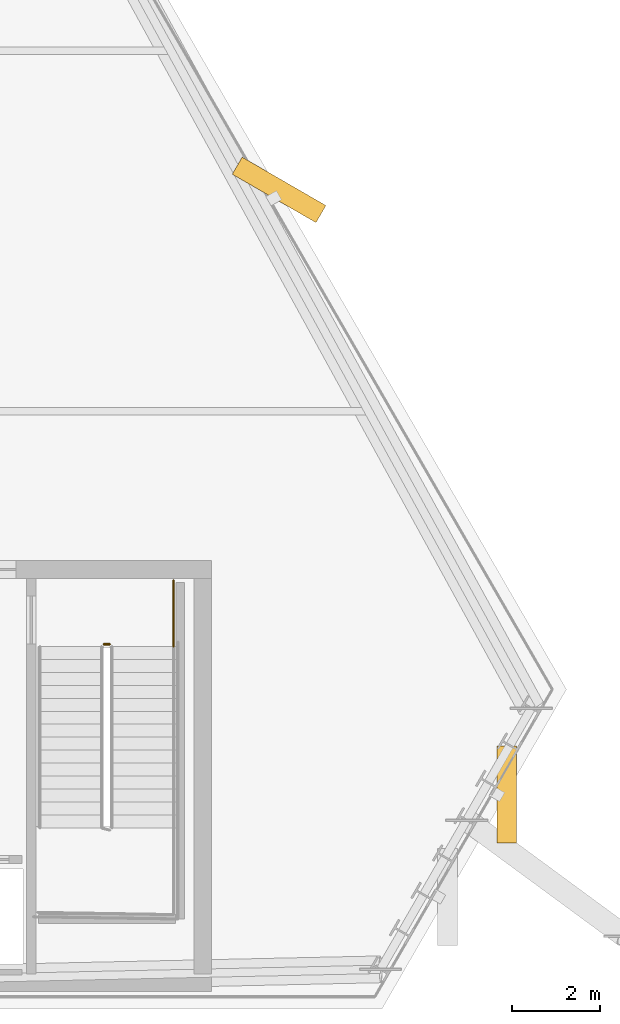
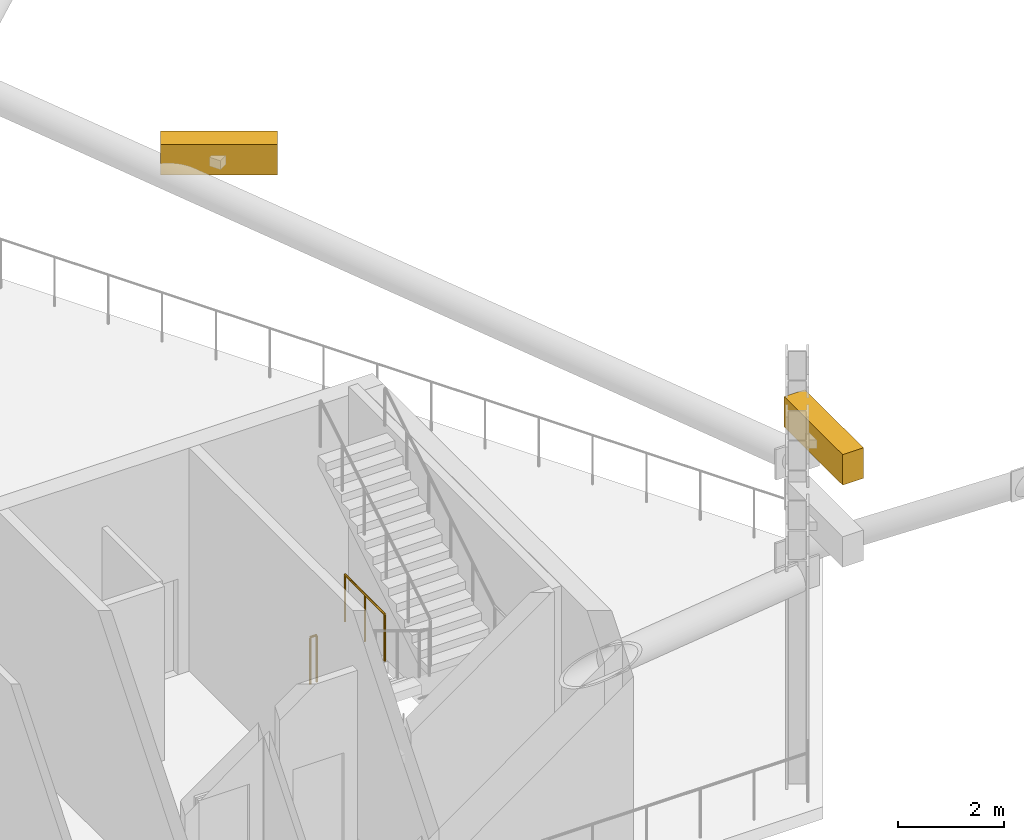
# One storey, part 10 of 11: 2 railings, 2 shading devices.
"""IFC4 building model written with IfcOpenShell, lengths in metres."""

from ifc_helpers import new_model, si_unit, direction, frame, origin, origin_2d, place, context, subcontext, project, spatial, rectangle, circle, extrude, material, layer, layer_set, type_object, element, save


model = new_model("IFC4")

# Units and contexts
model_context = context("Model", 3, precision=1e-05, world=origin(), true_north=direction((0.0, 1.0)))
body_context = subcontext(model_context, "Body", "Model", "MODEL_VIEW")
ifc_project = project(units=[si_unit("LENGTHUNIT", "METRE"), si_unit("AREAUNIT", "SQUARE_METRE"), si_unit("VOLUMEUNIT", "CUBIC_METRE"), si_unit("PLANEANGLEUNIT", "RADIAN"), si_unit("MASSUNIT", "GRAM", prefix="KILO")], contexts=[model_context])

# Site, building, storey
site_placement = place(None, origin())
site = spatial("IfcSite", under=ifc_project, at=site_placement, CompositionType="ELEMENT")
building_placement = place(site_placement, origin())
building = spatial("IfcBuilding", under=site, at=building_placement, Name="Ndaravel Arena Tower", CompositionType="ELEMENT")
storey_placement = place(building_placement, frame((0.0, 0.0, 203.0)))
storey = spatial("IfcBuildingStorey", under=building, at=storey_placement, Name="L49", CompositionType="ELEMENT", Elevation=203.0)

# Railings
ifc_material_1 = material(Name="Steel S355", Category="steel")
ifc_layer = layer(ifc_material_1, 0.06005859375)
ifc_layer_set = layer_set([ifc_layer], Name="Steel S355")
railing_type = type_object("IfcRailingType", Name="RAIL-STAIR-GD1100", PredefinedType="GUARDRAIL", material=ifc_layer_set)
railing_1_placement = place(storey_placement, frame((55.10009765625, 13.300048828125, 0.0)))
element("IfcRailing", 1, at=railing_1_placement, inside=storey, type_object=railing_type, Name="L49 ST-3 stair guard 4", PredefinedType="GUARDRAIL", context=body_context, shape_type="SweptSolid", body=[
    extrude(circle(Radius=0.02392578125, at=origin_2d()), frame((0.0, 0.0, 1.076171875), z_axis=(1.0, 0.0, 0.0), x_axis=(0.0, 1.0, 0.0)), (0.0, 0.0, 1.0), 0.139892578125),
    extrude(circle(Radius=0.02099609375, at=origin_2d()), origin(), (0.0, 0.0, 1.0), 1.052001953125),
    extrude(circle(Radius=0.02099609375, at=origin_2d()), frame((0.139892578125, 0.0, 0.0)), (0.0, 0.0, 1.0), 1.052001953125),
])
railing_2_placement = place(storey_placement, frame((56.68994140625, 14.75, 0.0)))
element("IfcRailing", 2, at=railing_2_placement, inside=storey, type_object=railing_type, Name="L49 ST-3 stair guard 5", PredefinedType="GUARDRAIL", context=body_context, shape_type="SweptSolid", body=[
    extrude(circle(Radius=0.02392578125, at=origin_2d()), frame((0.0, 0.0, 1.076171875), z_axis=(0.0, -1.0, 0.0), x_axis=(1.0, 0.0, 0.0)), (0.0, 0.0, 1.0), 1.5),
    extrude(circle(Radius=0.02099609375, at=origin_2d()), origin(), (0.0, 0.0, 1.0), 1.052001953125),
    extrude(circle(Radius=0.02099609375, at=origin_2d()), frame((0.0, -0.75, 0.0)), (0.0, 0.0, 1.0), 1.052001953125),
    extrude(circle(Radius=0.02099609375, at=origin_2d()), frame((0.0, -1.5, 0.0)), (0.0, 0.0, 1.0), 1.052001953125),
])

# Shading devices
ifc_material_2 = material(Name="Aluminium", Category="aluminium")
shading_device_type = type_object("IfcShadingDeviceType", Name="SHD-WIND-LOUVRE", PredefinedType="JALOUSIE", material=ifc_material_2)
for number, where, z_axis, x_axis, name in (
    (3, (64.269775390625, 9.881591796875, 4.169921875), (0.0, 0.0, 1.0), (1.0, 0.0, 0.0), "L49 Wind-Floor Acoustic Louvre 2.2"),
    (4, (59.089599609375, 23.635986328125, 4.169921875), (0.0, 0.0, 1.0), (0.5, 0.866025403784, 0.0), "L49 Wind-Floor Acoustic Louvre 3.1"),
):
    element("IfcShadingDevice", number, at=place(storey_placement, frame(where, z_axis=z_axis, x_axis=x_axis)), inside=storey, type_object=shading_device_type, Name=name, PredefinedType="JALOUSIE", context=body_context, shape_type="SweptSolid", body=[
        extrude(rectangle(XDim=0.449951171875, YDim=2.199951171875, at=origin_2d()), origin(), (0.0, 0.0, 1.0), 0.699951171875),
    ])

save(model, "model.ifc")
